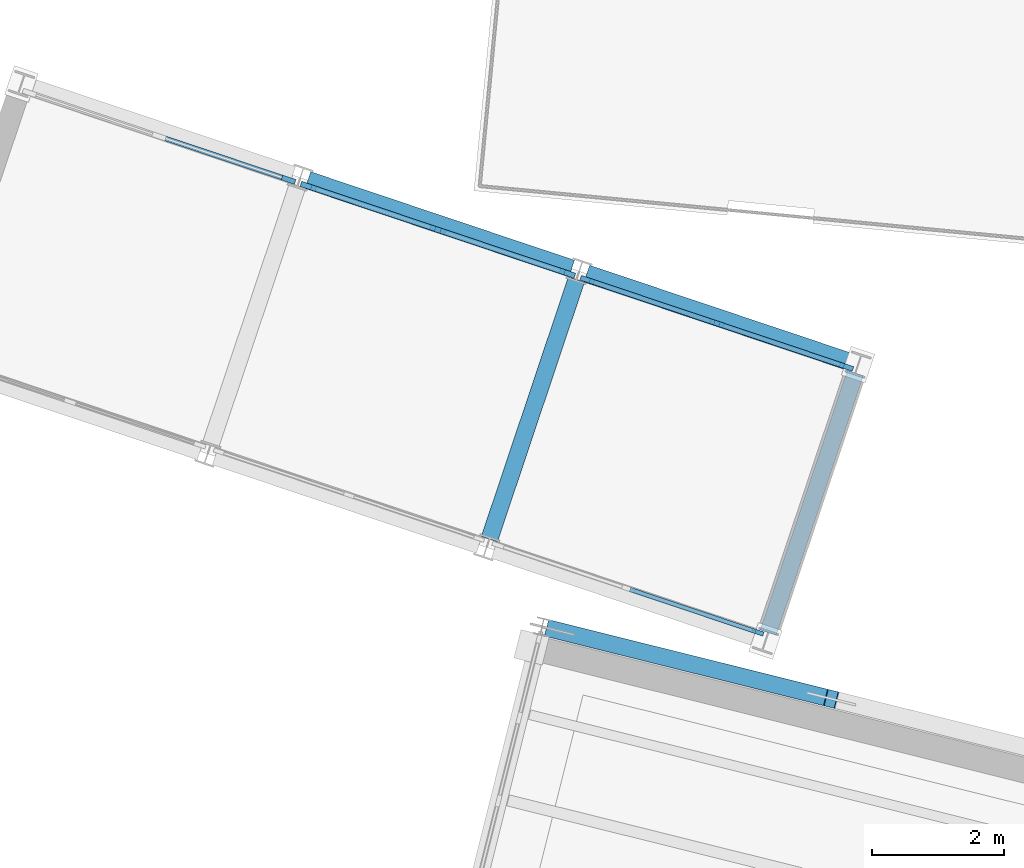
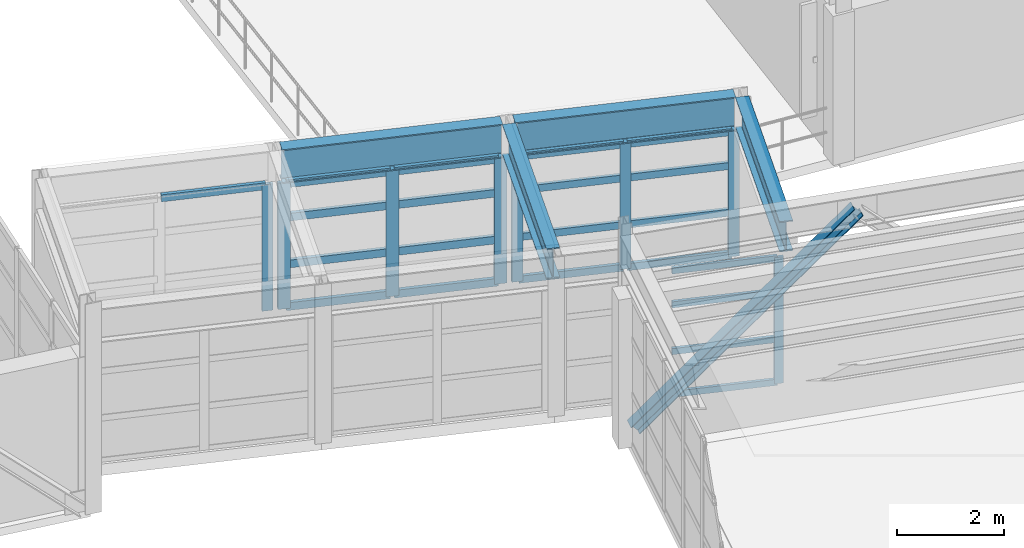
# One storey, part 27 of 102: 30 members, 4 beams, 4 elements without a shape of their own.
"""IFC4 building model written with IfcOpenShell, lengths in metres."""

from ifc_helpers import new_model, si_unit, direction, frame, origin, origin_2d, place, context, subcontext, project, spatial, rectangle, i_section, extrude, material, layer, layer_set, material_profile, profile_set, type_object, element, aggregate, save


model = new_model("IFC4")

# Units and contexts
model_context = context("Model", 3, precision=1e-05, world=origin(), true_north=direction((0.0, 1.0)))
body_context = subcontext(model_context, "Body", "Model", "MODEL_VIEW")
ifc_project = project(units=[si_unit("LENGTHUNIT", "METRE"), si_unit("AREAUNIT", "SQUARE_METRE"), si_unit("VOLUMEUNIT", "CUBIC_METRE"), si_unit("PLANEANGLEUNIT", "RADIAN"), si_unit("MASSUNIT", "GRAM", prefix="KILO")], contexts=[model_context])

# Site, building, storey
site_placement = place(None, origin())
site = spatial("IfcSite", under=ifc_project, at=site_placement, CompositionType="ELEMENT")
building_placement = place(site_placement, origin())
building = spatial("IfcBuilding", under=site, at=building_placement, Name="Vireo Bluff Cable Station", CompositionType="ELEMENT")
storey_placement = place(building_placement, frame((0.0, 0.0, 9.60009765625)))
storey = spatial("IfcBuildingStorey", under=building, at=storey_placement, Name="L02", CompositionType="ELEMENT", Elevation=9.60009765625)

# Member
ifc_material_1 = material(Name="Steel ASTM A992 Gr. 50", Category="steel")
ifc_material_profile_1 = material_profile(ifc_material_1, i_section(OverallWidth=0.2548828125, OverallDepth=0.256103515625, WebThickness=0.009521484375, FlangeThickness=0.015625, FilletRadius=0.009033203125, at=origin_2d()), Name="W10X54")
ifc_profile_set_1 = profile_set([ifc_material_profile_1], Name="Steel ASTM A992 Gr. 50")
member_type_1 = type_object("IfcMemberType", Name="BRC-02", PredefinedType="BRACE", material=ifc_profile_set_1)
member_1_placement = place(storey_placement, frame((59.96142578125, 61.248291015625, 0.039794921875), z_axis=(0.702068522127, -0.175028678406, 0.69026426242), x_axis=(0.241900212683, 0.970301132177, 0.0)))
element("IfcMember", 1, at=member_1_placement, inside=storey, type_object=member_type_1, Name="V1 L02 concentric brace 7L", PredefinedType="BRACE", context=body_context, shape_type="SweptSolid", body=[
    extrude(i_section(OverallWidth=0.2548828125, OverallDepth=0.256103515625, WebThickness=0.009521484375, FlangeThickness=0.015625, FilletRadius=0.009033203125, at=origin_2d()), origin(), (0.0, 0.0, 1.0), 5.997802734375),
])

# Curtain wall, member
ifc_material_2 = material(Name="Anodized Aluminium 6063-T6", Category="aluminium")
ifc_layer_1 = layer(ifc_material_2, 0.159912109375, Name="Anodized Aluminium 6063-T6")
ifc_layer_set_1 = layer_set([ifc_layer_1], Name="Anodized Aluminium 6063-T6")
curtain_wall_type_1 = type_object("IfcCurtainWallType", Name="CW-STICK-1750", PredefinedType="USERDEFINED", material=ifc_layer_set_1)
curtain_wall_1_placement = place(storey_placement, origin())
curtain_wall_1 = element("IfcCurtainWall", 2, at=curtain_wall_1_placement, inside=storey, type_object=curtain_wall_type_1, Name="SKYBR L02 CABIN-TRANSFER-3L curtain wall CW-144", ObjectType="STICK CURTAIN WALL", PredefinedType="USERDEFINED")
ifc_material_profile_2 = material_profile(ifc_material_2, rectangle(XDim=0.06494140625, YDim=0.179931640625, at=origin_2d()), Name="ALU-M-65X180")
ifc_profile_set_2 = profile_set([ifc_material_profile_2], Name="Anodized Aluminium 6063-T6")
member_type_2 = type_object("IfcMemberType", Name="CWM-01", PredefinedType="MULLION", material=ifc_profile_set_2)
member_2_placement = place(storey_placement, frame((63.0634765625, 61.203369140625, 0.0), z_axis=(0.0, 0.0, 1.0), x_axis=(0.317934428309, 0.9481127039, 0.0)))
member_2 = element("IfcMember", 3, at=member_2_placement, type_object=member_type_2, Name="CW-144 mullion 3", PredefinedType="MULLION", context=body_context, shape_type="SweptSolid", body=[
    extrude(rectangle(XDim=0.06494140625, YDim=0.179931640625, at=origin_2d()), origin(), (0.0, 0.0, 1.0), 2.8798828125),
])

ifc_layer_2 = layer(ifc_material_2, 0.159912109375, Name="Anodized Aluminium 6063-T6")
ifc_layer_set_2 = layer_set([ifc_layer_2], Name="Anodized Aluminium 6063-T6")
curtain_wall_type_2 = type_object("IfcCurtainWallType", Name="CW-STICK-1850", PredefinedType="USERDEFINED", material=ifc_layer_set_2)
curtain_wall_2_placement = place(storey_placement, origin())
curtain_wall_2 = element("IfcCurtainWall", 4, at=curtain_wall_2_placement, inside=storey, type_object=curtain_wall_type_2, Name="SKYBR L02 CABIN-TRANSFER-1R curtain wall CW-141", ObjectType="STICK CURTAIN WALL", PredefinedType="USERDEFINED")
ifc_material_profile_3 = material_profile(ifc_material_2, rectangle(XDim=0.074951171875, YDim=0.2099609375, at=origin_2d()), Name="ALU-M-75X210")
ifc_profile_set_3 = profile_set([ifc_material_profile_3], Name="Anodized Aluminium 6063-T6")
member_type_3 = type_object("IfcMemberType", Name="CWM-02", PredefinedType="MULLION", material=ifc_profile_set_3)
member_3_placement = place(storey_placement, frame((55.9814453125, 68.03369140625, 0.0), z_axis=(0.0, 0.0, 1.0), x_axis=(0.317927251237, 0.948115110586, 0.0)))
member_3 = element("IfcMember", 5, at=member_3_placement, type_object=member_type_3, Name="CW-141 mullion 3", PredefinedType="MULLION", context=body_context, shape_type="SweptSolid", body=[
    extrude(rectangle(XDim=0.074951171875, YDim=0.2099609375, at=origin_2d()), origin(), (0.0, 0.0, 1.0), 2.8798828125),
])

# Curtain wall, members
curtain_wall_3_placement = place(storey_placement, origin())
curtain_wall_3 = element("IfcCurtainWall", 6, at=curtain_wall_3_placement, inside=storey, type_object=curtain_wall_type_2, Name="SKYBR L02 CABIN-TRANSFER-3R curtain wall CW-145", ObjectType="STICK CURTAIN WALL", PredefinedType="USERDEFINED")
member_4_placement = place(storey_placement, frame((60.490966796875, 66.521240234375, 0.0), z_axis=(0.0, 0.0, 1.0), x_axis=(0.317934428309, 0.9481127039, 0.0)))
member_4 = element("IfcMember", 7, at=member_4_placement, type_object=member_type_3, Name="CW-145 mullion 1", PredefinedType="MULLION", context=body_context, shape_type="SweptSolid", body=[
    extrude(rectangle(XDim=0.074951171875, YDim=0.2099609375, at=origin_2d()), origin(), (0.0, 0.0, 1.0), 2.8798828125),
])
member_5_placement = place(storey_placement, frame((62.4462890625, 65.865478515625, 0.0), z_axis=(0.0, 0.0, 1.0), x_axis=(0.317934428309, 0.9481127039, 0.0)))
member_5 = element("IfcMember", 8, at=member_5_placement, type_object=member_type_3, Name="CW-145 mullion 2", PredefinedType="MULLION", context=body_context, shape_type="SweptSolid", body=[
    extrude(rectangle(XDim=0.074951171875, YDim=0.2099609375, at=origin_2d()), origin(), (0.0, 0.0, 1.0), 2.8798828125),
])
member_6_placement = place(storey_placement, frame((64.40185546875, 65.209716796875, 0.0), z_axis=(0.0, 0.0, 1.0), x_axis=(0.317934428309, 0.9481127039, 0.0)))
member_6 = element("IfcMember", 9, at=member_6_placement, type_object=member_type_3, Name="CW-145 mullion 3", PredefinedType="MULLION", context=body_context, shape_type="SweptSolid", body=[
    extrude(rectangle(XDim=0.074951171875, YDim=0.2099609375, at=origin_2d()), origin(), (0.0, 0.0, 1.0), 2.8798828125),
])

curtain_wall_4_placement = place(storey_placement, origin())
curtain_wall_4 = element("IfcCurtainWall", 10, at=curtain_wall_4_placement, inside=storey, type_object=curtain_wall_type_2, Name="SKYBR L02 CABIN-TRANSFER-2R curtain wall CW-143", ObjectType="STICK CURTAIN WALL", PredefinedType="USERDEFINED")
ifc_material_profile_4 = material_profile(ifc_material_2, rectangle(XDim=0.080078125, YDim=0.239990234375, at=origin_2d()), Name="ALU-M-80X240")
ifc_profile_set_4 = profile_set([ifc_material_profile_4], Name="Anodized Aluminium 6063-T6")
member_type_4 = type_object("IfcMemberType", Name="CWM-04", PredefinedType="MULLION", material=ifc_profile_set_4)
member_7_placement = place(storey_placement, frame((56.2822265625, 67.9326171875, 0.0), z_axis=(0.0, 0.0, 1.0), x_axis=(0.317940960899, 0.948110513275, 0.0)))
member_7 = element("IfcMember", 11, at=member_7_placement, type_object=member_type_4, Name="CW-143 mullion 1", PredefinedType="MULLION", context=body_context, shape_type="SweptSolid", body=[
    extrude(rectangle(XDim=0.080078125, YDim=0.239990234375, at=origin_2d()), origin(), (0.0, 0.0, 1.0), 2.8798828125),
])
member_8_placement = place(storey_placement, frame((58.236083984375, 67.27734375, 0.0), z_axis=(0.0, 0.0, 1.0), x_axis=(0.317940960899, 0.948110513275, 0.0)))
member_8 = element("IfcMember", 12, at=member_8_placement, type_object=member_type_4, Name="CW-143 mullion 2", PredefinedType="MULLION", context=body_context, shape_type="SweptSolid", body=[
    extrude(rectangle(XDim=0.080078125, YDim=0.239990234375, at=origin_2d()), origin(), (0.0, 0.0, 1.0), 2.8798828125),
])
member_9_placement = place(storey_placement, frame((60.18994140625, 66.622314453125, 0.0), z_axis=(0.0, 0.0, 1.0), x_axis=(0.317940960899, 0.948110513275, 0.0)))
member_9 = element("IfcMember", 13, at=member_9_placement, type_object=member_type_4, Name="CW-143 mullion 3", PredefinedType="MULLION", context=body_context, shape_type="SweptSolid", body=[
    extrude(rectangle(XDim=0.080078125, YDim=0.239990234375, at=origin_2d()), origin(), (0.0, 0.0, 1.0), 2.8798828125),
])

# Member
ifc_material_profile_5 = material_profile(ifc_material_2, rectangle(XDim=0.06494140625, YDim=0.139892578125, at=origin_2d()), Name="ALU-T-65X140")
ifc_profile_set_5 = profile_set([ifc_material_profile_5], Name="Anodized Aluminium 6063-T6")
member_type_5 = type_object("IfcMemberType", Name="CWT-01", PredefinedType="USERDEFINED", material=ifc_profile_set_5)
member_10_placement = place(storey_placement, frame((61.134033203125, 61.850341796875, 0.032470703125), z_axis=(0.948096428666, -0.317982958586, 0.0), x_axis=(0.317982958586, 0.948096428666, 0.0)))
member_10 = element("IfcMember", 14, at=member_10_placement, type_object=member_type_5, Name="CW-144 transom 2.1", ObjectType="TRANSOM", PredefinedType="USERDEFINED", context=body_context, shape_type="SweptSolid", body=[
    extrude(rectangle(XDim=0.06494140625, YDim=0.139892578125, at=origin_2d()), origin(), (0.0, 0.0, 1.0), 2.00244140625),
])

member_11_placement = place(storey_placement, frame((61.134033203125, 61.850341796875, 1.0078125), z_axis=(0.948096428666, -0.317982958586, 0.0), x_axis=(0.317982958586, 0.948096428666, 0.0)))
member_11 = element("IfcMember", 15, at=member_11_placement, type_object=member_type_5, Name="CW-144 transom 2.2", ObjectType="TRANSOM", PredefinedType="USERDEFINED", context=body_context, shape_type="SweptSolid", body=[
    extrude(rectangle(XDim=0.06494140625, YDim=0.139892578125, at=origin_2d()), origin(), (0.0, 0.0, 1.0), 2.00244140625),
])

member_12_placement = place(storey_placement, frame((61.134033203125, 61.850341796875, 2.073486328125), z_axis=(0.948096428666, -0.317982958586, 0.0), x_axis=(0.317982958586, 0.948096428666, 0.0)))
member_12 = element("IfcMember", 16, at=member_12_placement, type_object=member_type_5, Name="CW-144 transom 2.3", ObjectType="TRANSOM", PredefinedType="USERDEFINED", context=body_context, shape_type="SweptSolid", body=[
    extrude(rectangle(XDim=0.06494140625, YDim=0.139892578125, at=origin_2d()), origin(), (0.0, 0.0, 1.0), 2.00244140625),
])

member_13_placement = place(storey_placement, frame((61.134033203125, 61.850341796875, 2.847412109375), z_axis=(0.948096428666, -0.317982958586, 0.0), x_axis=(0.317982958586, 0.948096428666, 0.0)))
member_13 = element("IfcMember", 17, at=member_13_placement, type_object=member_type_5, Name="CW-144 transom 2.4", ObjectType="TRANSOM", PredefinedType="USERDEFINED", context=body_context, shape_type="SweptSolid", body=[
    extrude(rectangle(XDim=0.06494140625, YDim=0.139892578125, at=origin_2d()), origin(), (0.0, 0.0, 1.0), 2.00244140625),
])

aggregate(curtain_wall_1, [member_2, member_10, member_11, member_12, member_13])

ifc_material_profile_6 = material_profile(ifc_material_2, rectangle(XDim=0.074951171875, YDim=0.159912109375, at=origin_2d()), Name="ALU-T-75X160")
ifc_profile_set_6 = profile_set([ifc_material_profile_6], Name="Anodized Aluminium 6063-T6")
member_type_6 = type_object("IfcMemberType", Name="CWT-02", PredefinedType="USERDEFINED", material=ifc_profile_set_6)
member_14_placement = place(storey_placement, frame((54.0615234375, 68.677490234375, 2.84228515625), z_axis=(0.948116696973, -0.317922520312, 0.0), x_axis=(0.317922520312, 0.948116696973, 0.0)))
member_14 = element("IfcMember", 18, at=member_14_placement, type_object=member_type_6, Name="CW-141 transom 2.4", ObjectType="TRANSOM", PredefinedType="USERDEFINED", context=body_context, shape_type="SweptSolid", body=[
    extrude(rectangle(XDim=0.074951171875, YDim=0.159912109375, at=origin_2d()), origin(), (0.0, 0.0, 1.0), 1.9873046875),
])

aggregate(curtain_wall_2, [member_3, member_14])

member_15_placement = place(storey_placement, frame((60.5263671875, 66.50927734375, 0.037353515625), z_axis=(0.948116696973, -0.317922520312, 0.0), x_axis=(0.317922520312, 0.948116696973, 0.0)))
member_15 = element("IfcMember", 19, at=member_15_placement, type_object=member_type_6, Name="CW-145 transom 1.1", ObjectType="TRANSOM", PredefinedType="USERDEFINED", context=body_context, shape_type="SweptSolid", body=[
    extrude(rectangle(XDim=0.074951171875, YDim=0.159912109375, at=origin_2d()), origin(), (0.0, 0.0, 1.0), 1.9873046875),
])

member_16_placement = place(storey_placement, frame((60.5263671875, 66.50927734375, 1.0078125), z_axis=(0.948116696973, -0.317922520312, 0.0), x_axis=(0.317922520312, 0.948116696973, 0.0)))
member_16 = element("IfcMember", 20, at=member_16_placement, type_object=member_type_6, Name="CW-145 transom 1.2", ObjectType="TRANSOM", PredefinedType="USERDEFINED", context=body_context, shape_type="SweptSolid", body=[
    extrude(rectangle(XDim=0.074951171875, YDim=0.159912109375, at=origin_2d()), origin(), (0.0, 0.0, 1.0), 1.9873046875),
])

member_17_placement = place(storey_placement, frame((60.5263671875, 66.50927734375, 2.073486328125), z_axis=(0.948116696973, -0.317922520312, 0.0), x_axis=(0.317922520312, 0.948116696973, 0.0)))
member_17 = element("IfcMember", 21, at=member_17_placement, type_object=member_type_6, Name="CW-145 transom 1.3", ObjectType="TRANSOM", PredefinedType="USERDEFINED", context=body_context, shape_type="SweptSolid", body=[
    extrude(rectangle(XDim=0.074951171875, YDim=0.159912109375, at=origin_2d()), origin(), (0.0, 0.0, 1.0), 1.9873046875),
])

member_18_placement = place(storey_placement, frame((60.5263671875, 66.50927734375, 2.84228515625), z_axis=(0.948116696973, -0.317922520312, 0.0), x_axis=(0.317922520312, 0.948116696973, 0.0)))
member_18 = element("IfcMember", 22, at=member_18_placement, type_object=member_type_6, Name="CW-145 transom 1.4", ObjectType="TRANSOM", PredefinedType="USERDEFINED", context=body_context, shape_type="SweptSolid", body=[
    extrude(rectangle(XDim=0.074951171875, YDim=0.159912109375, at=origin_2d()), origin(), (0.0, 0.0, 1.0), 1.9873046875),
])

member_19_placement = place(storey_placement, frame((62.48193359375, 65.853515625, 0.037353515625), z_axis=(0.948116696973, -0.317922520312, 0.0), x_axis=(0.317922520312, 0.948116696973, 0.0)))
member_19 = element("IfcMember", 23, at=member_19_placement, type_object=member_type_6, Name="CW-145 transom 2.1", ObjectType="TRANSOM", PredefinedType="USERDEFINED", context=body_context, shape_type="SweptSolid", body=[
    extrude(rectangle(XDim=0.074951171875, YDim=0.159912109375, at=origin_2d()), origin(), (0.0, 0.0, 1.0), 1.9873046875),
])

member_20_placement = place(storey_placement, frame((62.48193359375, 65.853515625, 1.0078125), z_axis=(0.948116696973, -0.317922520312, 0.0), x_axis=(0.317922520312, 0.948116696973, 0.0)))
member_20 = element("IfcMember", 24, at=member_20_placement, type_object=member_type_6, Name="CW-145 transom 2.2", ObjectType="TRANSOM", PredefinedType="USERDEFINED", context=body_context, shape_type="SweptSolid", body=[
    extrude(rectangle(XDim=0.074951171875, YDim=0.159912109375, at=origin_2d()), origin(), (0.0, 0.0, 1.0), 1.9873046875),
])

member_21_placement = place(storey_placement, frame((62.48193359375, 65.853515625, 2.073486328125), z_axis=(0.948116696973, -0.317922520312, 0.0), x_axis=(0.317922520312, 0.948116696973, 0.0)))
member_21 = element("IfcMember", 25, at=member_21_placement, type_object=member_type_6, Name="CW-145 transom 2.3", ObjectType="TRANSOM", PredefinedType="USERDEFINED", context=body_context, shape_type="SweptSolid", body=[
    extrude(rectangle(XDim=0.074951171875, YDim=0.159912109375, at=origin_2d()), origin(), (0.0, 0.0, 1.0), 1.9873046875),
])

member_22_placement = place(storey_placement, frame((62.48193359375, 65.853515625, 2.84228515625), z_axis=(0.948116696973, -0.317922520312, 0.0), x_axis=(0.317922520312, 0.948116696973, 0.0)))
member_22 = element("IfcMember", 26, at=member_22_placement, type_object=member_type_6, Name="CW-145 transom 2.4", ObjectType="TRANSOM", PredefinedType="USERDEFINED", context=body_context, shape_type="SweptSolid", body=[
    extrude(rectangle(XDim=0.074951171875, YDim=0.159912109375, at=origin_2d()), origin(), (0.0, 0.0, 1.0), 1.9873046875),
])

aggregate(curtain_wall_3, [member_4, member_5, member_6, member_15, member_16, member_17, member_18, member_19, member_20, member_21, member_22])

ifc_material_profile_7 = material_profile(ifc_material_2, rectangle(XDim=0.080078125, YDim=0.175048828125, at=origin_2d()), Name="ALU-T-80X175")
ifc_profile_set_7 = profile_set([ifc_material_profile_7], Name="Anodized Aluminium 6063-T6")
member_type_7 = type_object("IfcMemberType", Name="CWT-04", PredefinedType="USERDEFINED", material=ifc_profile_set_7)
member_23_placement = place(storey_placement, frame((56.3203125, 67.919921875, 0.039794921875), z_axis=(0.94809000589, -0.31800210806, 0.0), x_axis=(0.31800210806, 0.94809000589, 0.0)))
member_23 = element("IfcMember", 27, at=member_23_placement, type_object=member_type_7, Name="CW-143 transom 1.1", ObjectType="TRANSOM", PredefinedType="USERDEFINED", context=body_context, shape_type="SweptSolid", body=[
    extrude(rectangle(XDim=0.080078125, YDim=0.175048828125, at=origin_2d()), origin(), (0.0, 0.0, 1.0), 1.980712890625),
])

member_24_placement = place(storey_placement, frame((56.3203125, 67.919921875, 1.0078125), z_axis=(0.94809000589, -0.31800210806, 0.0), x_axis=(0.31800210806, 0.94809000589, 0.0)))
member_24 = element("IfcMember", 28, at=member_24_placement, type_object=member_type_7, Name="CW-143 transom 1.2", ObjectType="TRANSOM", PredefinedType="USERDEFINED", context=body_context, shape_type="SweptSolid", body=[
    extrude(rectangle(XDim=0.080078125, YDim=0.175048828125, at=origin_2d()), origin(), (0.0, 0.0, 1.0), 1.980712890625),
])

member_25_placement = place(storey_placement, frame((56.3203125, 67.919921875, 2.073486328125), z_axis=(0.94809000589, -0.31800210806, 0.0), x_axis=(0.31800210806, 0.94809000589, 0.0)))
member_25 = element("IfcMember", 29, at=member_25_placement, type_object=member_type_7, Name="CW-143 transom 1.3", ObjectType="TRANSOM", PredefinedType="USERDEFINED", context=body_context, shape_type="SweptSolid", body=[
    extrude(rectangle(XDim=0.080078125, YDim=0.175048828125, at=origin_2d()), origin(), (0.0, 0.0, 1.0), 1.980712890625),
])

member_26_placement = place(storey_placement, frame((56.3203125, 67.919921875, 2.83984375), z_axis=(0.94809000589, -0.31800210806, 0.0), x_axis=(0.31800210806, 0.94809000589, 0.0)))
member_26 = element("IfcMember", 30, at=member_26_placement, type_object=member_type_7, Name="CW-143 transom 1.4", ObjectType="TRANSOM", PredefinedType="USERDEFINED", context=body_context, shape_type="SweptSolid", body=[
    extrude(rectangle(XDim=0.080078125, YDim=0.175048828125, at=origin_2d()), origin(), (0.0, 0.0, 1.0), 1.980712890625),
])

member_27_placement = place(storey_placement, frame((58.27392578125, 67.2646484375, 0.039794921875), z_axis=(0.948127162084, -0.317891309284, 0.0), x_axis=(0.317891309284, 0.948127162084, 0.0)))
member_27 = element("IfcMember", 31, at=member_27_placement, type_object=member_type_7, Name="CW-143 transom 2.1", ObjectType="TRANSOM", PredefinedType="USERDEFINED", context=body_context, shape_type="SweptSolid", body=[
    extrude(rectangle(XDim=0.080078125, YDim=0.175048828125, at=origin_2d()), origin(), (0.0, 0.0, 1.0), 1.980712890625),
])

member_28_placement = place(storey_placement, frame((58.27392578125, 67.2646484375, 1.0078125), z_axis=(0.948127162084, -0.317891309284, 0.0), x_axis=(0.317891309284, 0.948127162084, 0.0)))
member_28 = element("IfcMember", 32, at=member_28_placement, type_object=member_type_7, Name="CW-143 transom 2.2", ObjectType="TRANSOM", PredefinedType="USERDEFINED", context=body_context, shape_type="SweptSolid", body=[
    extrude(rectangle(XDim=0.080078125, YDim=0.175048828125, at=origin_2d()), origin(), (0.0, 0.0, 1.0), 1.980712890625),
])

member_29_placement = place(storey_placement, frame((58.27392578125, 67.2646484375, 2.073486328125), z_axis=(0.948127162084, -0.317891309284, 0.0), x_axis=(0.317891309284, 0.948127162084, 0.0)))
member_29 = element("IfcMember", 33, at=member_29_placement, type_object=member_type_7, Name="CW-143 transom 2.3", ObjectType="TRANSOM", PredefinedType="USERDEFINED", context=body_context, shape_type="SweptSolid", body=[
    extrude(rectangle(XDim=0.080078125, YDim=0.175048828125, at=origin_2d()), origin(), (0.0, 0.0, 1.0), 1.980712890625),
])

member_30_placement = place(storey_placement, frame((58.27392578125, 67.2646484375, 2.83984375), z_axis=(0.948127162084, -0.317891309284, 0.0), x_axis=(0.317891309284, 0.948127162084, 0.0)))
member_30 = element("IfcMember", 34, at=member_30_placement, type_object=member_type_7, Name="CW-143 transom 2.4", ObjectType="TRANSOM", PredefinedType="USERDEFINED", context=body_context, shape_type="SweptSolid", body=[
    extrude(rectangle(XDim=0.080078125, YDim=0.175048828125, at=origin_2d()), origin(), (0.0, 0.0, 1.0), 1.980712890625),
])

aggregate(curtain_wall_4, [member_7, member_8, member_9, member_23, member_24, member_25, member_26, member_27, member_28, member_29, member_30])

# Beams
ifc_material_profile_8 = material_profile(ifc_material_1, i_section(OverallWidth=0.257080078125, OverallDepth=0.693115234375, WebThickness=0.014404296875, FlangeThickness=0.023681640625, FilletRadius=0.014892578125, at=origin_2d()), Name="W27X114")
ifc_profile_set_8 = profile_set([ifc_material_profile_8], Name="Steel ASTM A992 Gr. 50")
beam_type_1 = type_object("IfcBeamType", Name="EXTGIR-W27X114", PredefinedType="USERDEFINED", material=ifc_profile_set_8)
for number, where, z_axis, x_axis, name in (
    (35, (59.012451171875, 62.608154296875, 3.284912109375), (0.31792727789, 0.948115101648, 0.0), (-0.948115101648, 0.31792727789, 0.0), "CABIN-TRANSFER skybridge bent cap 3 L02"),
    (36, (63.221923828125, 61.196533203125, 3.284912109375), (0.317980338391, 0.948097307451, 0.0), (-0.948097307451, 0.317980338391, 0.0), "CABIN-TRANSFER skybridge bent cap 4 L02"),
):
    element("IfcBeam", number, at=place(storey_placement, frame(where, z_axis=z_axis, x_axis=x_axis)), inside=storey, type_object=beam_type_1, Name=name, ObjectType="GIRDER", PredefinedType="USERDEFINED", context=body_context, shape_type="SweptSolid", body=[
        extrude(i_section(OverallWidth=0.257080078125, OverallDepth=0.693115234375, WebThickness=0.014404296875, FlangeThickness=0.023681640625, FilletRadius=0.014892578125, at=origin_2d()), origin(), (0.0, 0.0, 1.0), 4.135986328125),
    ])
ifc_material_profile_9 = material_profile(ifc_material_1, i_section(OverallWidth=0.26708984375, OverallDepth=0.77001953125, WebThickness=0.015625, FlangeThickness=0.025390625, FilletRadius=0.01611328125, at=origin_2d()), Name="W30X132")
ifc_profile_set_9 = profile_set([ifc_material_profile_9], Name="Steel ASTM A992 Gr. 50")
beam_type_2 = type_object("IfcBeamType", Name="EXTGIR-W30X132", PredefinedType="USERDEFINED", material=ifc_profile_set_9)
beam_1_placement = place(storey_placement, frame((56.2724609375, 68.02880859375, 3.25), z_axis=(0.948094734383, -0.317988010208, 0.0), x_axis=(0.317988010208, 0.948094734383, 0.0)))
element("IfcBeam", 37, at=beam_1_placement, inside=storey, type_object=beam_type_2, Name="CABIN-TRANSFER skybridge roof girder 2R", ObjectType="GIRDER", PredefinedType="USERDEFINED", context=body_context, shape_type="SweptSolid", body=[
    extrude(i_section(OverallWidth=0.26708984375, OverallDepth=0.77001953125, WebThickness=0.015625, FlangeThickness=0.025390625, FilletRadius=0.01611328125, at=origin_2d()), origin(), (0.0, 0.0, 1.0), 4.201171875),
])
beam_2_placement = place(storey_placement, frame((60.4833984375, 66.61669921875, 3.25), z_axis=(0.948094517387, -0.31798865719, 0.0), x_axis=(0.31798865719, 0.948094517387, 0.0)))
element("IfcBeam", 38, at=beam_2_placement, inside=storey, type_object=beam_type_2, Name="CABIN-TRANSFER skybridge roof girder 3R", ObjectType="GIRDER", PredefinedType="USERDEFINED", context=body_context, shape_type="SweptSolid", body=[
    extrude(i_section(OverallWidth=0.26708984375, OverallDepth=0.77001953125, WebThickness=0.015625, FlangeThickness=0.025390625, FilletRadius=0.01611328125, at=origin_2d()), origin(), (0.0, 0.0, 1.0), 4.19970703125),
])

save(model, "model.ifc")
